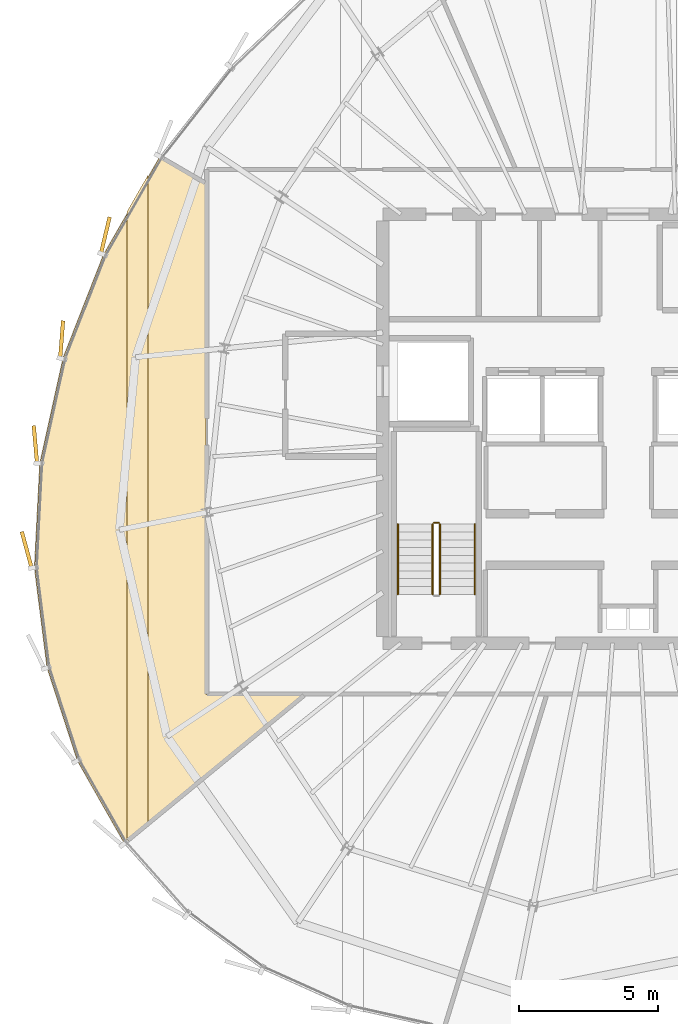
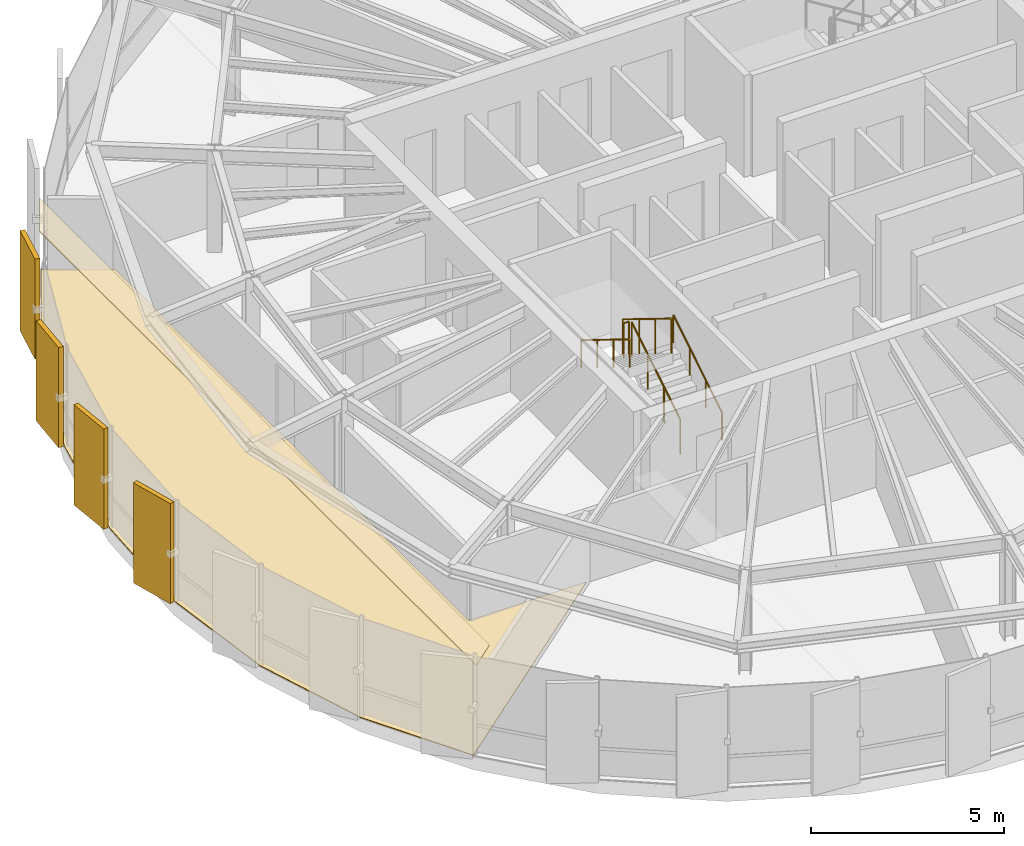
# One storey, part 34 of 36: 6 coverings, 5 railings.
"""IFC4 building model written with IfcOpenShell, lengths in metres."""

import ifcopenshell
import ifcopenshell.guid

model = None  # the IFC model being written
_history = None  # IfcOwnerHistory: only IFC2X3 demands one
_inside = {}  # id of a spatial element -> (the spatial element, [elements in it])
_under = {}  # id of a project, library or spatial element -> (it, [spatial elements below it])
_declared = {}  # id of a project -> (the project, [libraries it declares])
_typed = {}  # id of a type object -> (the type object, [elements of that type])
_made_of = {}  # id of a material, layer set ... -> (it, [elements and type objects made of it])


def new_model(schema):
    """Start an empty IFC model of exactly this schema.

    Asked for "IFC4X3", IfcOpenShell would pick the latest addendum, in which some entities
    have other attributes; the version numbers below select the first issue.
    IFC2X3 requires an IfcOwnerHistory on every rooted entity: one is made here for all.
    """
    global model, _history
    if schema == "IFC4X3":
        model = ifcopenshell.file(schema_version=(4, 3, 0, 0))
    else:
        model = ifcopenshell.file(schema=schema)
    _inside.clear()
    _under.clear()
    _declared.clear()
    _typed.clear()
    _made_of.clear()
    _history = None
    if model.schema == "IFC2X3":
        org = make("IfcOrganization", Name="unknown")
        user = make(
            "IfcPersonAndOrganization",
            ThePerson=make("IfcPerson", FamilyName="unknown"),
            TheOrganization=org,
        )
        app = make(
            "IfcApplication",
            ApplicationDeveloper=org,
            Version="unknown",
            ApplicationFullName="unknown",
            ApplicationIdentifier="unknown",
        )
        _history = make(
            "IfcOwnerHistory",
            OwningUser=user,
            OwningApplication=app,
            ChangeAction="ADDED",
            CreationDate=0,
        )
    return model


def make(cls, **values):
    """One entity of the class cls with the attributes given. An attribute that is None is left unset."""
    return model.create_entity(
        cls, **{name: value for name, value in values.items() if value is not None}
    )


def rooted(cls, **values):
    """An entity with a GlobalId (a new one), such as an element, a storey or a relation."""
    return make(cls, GlobalId=ifcopenshell.guid.new(), OwnerHistory=_history, **values)


def si_unit(unit_type, name, prefix=None):
    """IfcSIUnit, for example si_unit("LENGTHUNIT", "METRE", prefix="MILLI")."""
    return make("IfcSIUnit", UnitType=unit_type, Prefix=prefix, Name=name)


def assignment(units):
    """IfcUnitAssignment: the units of a project."""
    return None if units is None else make("IfcUnitAssignment", Units=units)


def point(xyz):
    """IfcCartesianPoint."""
    return None if xyz is None else make("IfcCartesianPoint", Coordinates=xyz)


def direction(xyz):
    """IfcDirection."""
    return None if xyz is None else make("IfcDirection", DirectionRatios=xyz)


def frame(location, z_axis=None, x_axis=None):
    """IfcAxis2Placement3D, a coordinate frame: its origin and axes. An axis left out is left unset."""
    return make(
        "IfcAxis2Placement3D",
        Location=point(location),
        Axis=direction(z_axis),
        RefDirection=direction(x_axis),
    )


def frame_2d(location, x_axis=None):
    """IfcAxis2Placement2D, a coordinate frame in the plane: its origin and x axis."""
    return make(
        "IfcAxis2Placement2D", Location=point(location), RefDirection=direction(x_axis)
    )


def origin():
    """The frame at (0, 0, 0) with its axes left unset."""
    return frame((0.0, 0.0, 0.0))


def origin_2d():
    """The frame at (0, 0) in the plane with its x axis left unset."""
    return frame_2d((0.0, 0.0))


def place(relative_to, where):
    """IfcLocalPlacement: puts the frame where relative to a parent placement (None: the world)."""
    return make(
        "IfcLocalPlacement", PlacementRelTo=relative_to, RelativePlacement=where
    )


def context(
    kind, dimensions, precision=None, world=None, true_north=None, identifier=None
):
    """IfcGeometricRepresentationContext, for example the 3D "Model" context."""
    return make(
        "IfcGeometricRepresentationContext",
        ContextIdentifier=identifier,
        ContextType=kind,
        CoordinateSpaceDimension=dimensions,
        Precision=precision,
        WorldCoordinateSystem=world,
        TrueNorth=true_north,
    )


def subcontext(parent, identifier, kind, view, scale=None):
    """IfcGeometricRepresentationSubContext, for example "Body" below "Model"."""
    return make(
        "IfcGeometricRepresentationSubContext",
        ContextIdentifier=identifier,
        ContextType=kind,
        ParentContext=parent,
        TargetScale=scale,
        TargetView=view,
    )


def project(units=None, contexts=None):
    """IfcProject with its units and contexts."""
    return rooted(
        "IfcProject",
        Name="project",
        RepresentationContexts=contexts,
        UnitsInContext=assignment(units),
    )


def spatial(cls, under=None, at=None, **own):
    """A site, building, storey or space (cls), placed at a placement, below another one or the project."""
    s = rooted(cls, ObjectPlacement=at, **own)
    if under is not None:
        _under.setdefault(under.id(), (under, []))[1].append(s)
    return s


def polyline(points):
    """IfcPolyline through the points."""
    return make("IfcPolyline", Points=[point(p) for p in points])


def profile(cls, at=None, kind="AREA", **sizes):
    """A parametric profile (cls). Its sizes go by their IFC names, for example OverallWidth=200.0."""
    return make(cls, ProfileType=kind, Position=at, **sizes)


def rectangle(**sizes):
    """IfcRectangleProfileDef."""
    return profile("IfcRectangleProfileDef", **sizes)


def circle(**sizes):
    """IfcCircleProfileDef."""
    return profile("IfcCircleProfileDef", **sizes)


def outline(outer, holes=None, kind="AREA"):
    """IfcArbitraryClosedProfileDef: a profile drawn as a closed curve; with holes, ...WithVoids."""
    if holes is None:
        return make("IfcArbitraryClosedProfileDef", ProfileType=kind, OuterCurve=outer)
    return make(
        "IfcArbitraryProfileDefWithVoids",
        ProfileType=kind,
        OuterCurve=outer,
        InnerCurves=holes,
    )


def extrude(swept, where, along, depth):
    """IfcExtrudedAreaSolid: the profile swept, set in the frame where, extruded along a direction by depth."""
    return make(
        "IfcExtrudedAreaSolid",
        SweptArea=swept,
        Position=where,
        ExtrudedDirection=direction(along),
        Depth=depth,
    )


def shape(context_of_items, identifier, shape_type, items):
    """IfcShapeRepresentation: the items that make up one representation, for example the "Body"."""
    return make(
        "IfcShapeRepresentation",
        ContextOfItems=context_of_items,
        RepresentationIdentifier=identifier,
        RepresentationType=shape_type,
        Items=items,
    )


def source(mapping_origin, context_of_items, identifier, shape_type, items):
    """IfcRepresentationMap: a shape defined once, which mapped items show again and again."""
    return make(
        "IfcRepresentationMap",
        MappingOrigin=mapping_origin,
        MappedRepresentation=shape(context_of_items, identifier, shape_type, items),
    )


def transform(
    local_origin,
    x_axis=None,
    y_axis=None,
    z_axis=None,
    scale=None,
    scale2=None,
    scale3=None,
    uniform=True,
):
    """IfcCartesianTransformationOperator3D, or its non-uniform kind. x_axis, y_axis, z_axis: its Axis1, 2, 3."""
    if uniform:
        return make(
            "IfcCartesianTransformationOperator3D",
            Axis1=direction(x_axis),
            Axis2=direction(y_axis),
            LocalOrigin=point(local_origin),
            Scale=scale,
            Axis3=direction(z_axis),
        )
    return make(
        "IfcCartesianTransformationOperator3DnonUniform",
        Axis1=direction(x_axis),
        Axis2=direction(y_axis),
        LocalOrigin=point(local_origin),
        Scale=scale,
        Axis3=direction(z_axis),
        Scale2=scale2,
        Scale3=scale3,
    )


def mapped(mapping_source, mapping_target):
    """IfcMappedItem: shows the shape of a source again, moved by a transform."""
    return make(
        "IfcMappedItem", MappingSource=mapping_source, MappingTarget=mapping_target
    )


def material(Name=None, Category=None):
    """IfcMaterial."""
    return make("IfcMaterial", Name=Name, Category=Category)


def layer(
    of_material, thickness, ventilated=None, Name=None, Category=None, Priority=None
):
    """IfcMaterialLayer: one layer of a wall or slab, of a material (None: an air gap)."""
    return make(
        "IfcMaterialLayer",
        Material=of_material,
        LayerThickness=thickness,
        IsVentilated=ventilated,
        Name=Name,
        Category=Category,
        Priority=Priority,
    )


def layer_set(layers, Name=None):
    """IfcMaterialLayerSet."""
    return make("IfcMaterialLayerSet", MaterialLayers=layers, LayerSetName=Name)


def made_of(thing, what):
    """Note that an element or type object is made of a material, layer set ...; save() writes the relation."""
    if what is not None:
        _made_of.setdefault(what.id(), (what, []))[1].append(thing)
    return thing


def type_object(cls, material=None, **own):
    """A type object (cls), such as IfcWallType, which elements share."""
    return made_of(rooted(cls, **own), material)


def element(
    cls,
    number,
    at=None,
    inside=None,
    cuts=None,
    type_object=None,
    material=None,
    context=None,
    identifier="Body",
    shape_type=None,
    held_by="IfcProductDefinitionShape",
    body=None,
    shapes=None,
    **own,
):
    """One element of the class cls, such as IfcWall. Its Tag is "e" and its number.

    at: its placement. inside: the storey or other place that contains it. cuts: it is an
    opening in that element (IfcRelVoidsElement). A single representation is given by context,
    identifier, shape_type and body (its items); several are given by shapes. held_by: the class
    of the entity that holds the representations. save() writes the other relations.
    """
    e = rooted(cls, Tag="e%d" % number, ObjectPlacement=at, **own)
    if body is not None:
        shapes = [shape(context, identifier, shape_type, body)]
    if shapes is not None:
        e.Representation = make(held_by, Representations=shapes)
    if inside is not None:
        _inside.setdefault(inside.id(), (inside, []))[1].append(e)
    if cuts is not None:
        rooted(
            "IfcRelVoidsElement", RelatingBuildingElement=cuts, RelatedOpeningElement=e
        )
    if type_object is not None:
        _typed.setdefault(type_object.id(), (type_object, []))[1].append(e)
    return made_of(e, material)


def aggregate(whole, parts):
    """IfcRelAggregates: a whole, such as a stair, and the parts it consists of."""
    return rooted("IfcRelAggregates", RelatingObject=whole, RelatedObjects=parts)


def save(model, path):
    """Write the relations noted so far, then the file.

    IfcRelAggregates (storeys below a building ...), IfcRelContainedInSpatialStructure (elements
    in a storey), IfcRelDefinesByType, IfcRelAssociatesMaterial and IfcRelDeclares: one each for
    every whole, place, type object, material and project.
    """
    for whole, parts in _under.values():
        aggregate(whole, parts)
    for where, things in _inside.values():
        rooted(
            "IfcRelContainedInSpatialStructure",
            RelatedElements=things,
            RelatingStructure=where,
        )
    for kind, things in _typed.values():
        rooted("IfcRelDefinesByType", RelatedObjects=things, RelatingType=kind)
    for what, things in _made_of.values():
        rooted("IfcRelAssociatesMaterial", RelatedObjects=things, RelatingMaterial=what)
    for by, libraries in _declared.values():
        rooted("IfcRelDeclares", RelatingContext=by, RelatedDefinitions=libraries)
    model.write(path)


model = new_model("IFC4")

# Units and contexts
model_context = context("Model", 3, precision=1e-05, world=origin(), true_north=direction((0.0, 1.0)))
body_context = subcontext(model_context, "Body", "Model", "MODEL_VIEW")
ifc_project = project(units=[si_unit("LENGTHUNIT", "METRE"), si_unit("AREAUNIT", "SQUARE_METRE"), si_unit("VOLUMEUNIT", "CUBIC_METRE"), si_unit("PLANEANGLEUNIT", "RADIAN"), si_unit("MASSUNIT", "GRAM", prefix="KILO"), si_unit("THERMODYNAMICTEMPERATUREUNIT", "KELVIN")], contexts=[model_context])

# Site, building, storey
site_placement = place(None, origin())
site = spatial("IfcSite", under=ifc_project, at=site_placement, CompositionType="ELEMENT")
building_placement = place(site_placement, origin())
building = spatial("IfcBuilding", under=site, at=building_placement, Name="Kethvar Cultural Tower", CompositionType="ELEMENT")
storey_placement = place(building_placement, frame((0.0, 0.0, 228.39990234375)))
storey = spatial("IfcBuildingStorey", under=building, at=storey_placement, Name="L59", CompositionType="ELEMENT", Elevation=228.39990234375)

# Coverings
ifc_material_1 = material(Name="Acoustic Mineral Fibre Ceiling")
ifc_layer_1 = layer(ifc_material_1, 0.0400390625, Name="Acoustic Mineral Fibre Ceiling")
ifc_layer_set_1 = layer_set([ifc_layer_1], Name="Acoustic Mineral Fibre Ceiling (40 mm)")
covering_type_1 = type_object("IfcCoveringType", Name="CV-ACOUSTIC-CEIL", PredefinedType="CEILING", material=ifc_layer_set_1)
covering_1_placement = place(storey_placement, frame((0.0, 0.0, 2.780029296875)))
element("IfcCovering", 1, at=covering_1_placement, inside=storey, type_object=covering_type_1, Name="L59 Room 07 Acoustic Ceiling Panel", PredefinedType="CEILING", context=body_context, shape_type="SweptSolid", body=[
    extrude(outline(polyline([(29.56884765625, 36.89990234375), (29.56884765625, 13.58251953125), (28.81884765625, 12.96484375), (28.81884765625, 35.59619140625), (29.56884765625, 36.89990234375)])), origin(), (0.0, 0.0, 1.0), 0.0400390625),
])
ifc_material_2 = material(Name="Architectural Oak Timber", Category="wood")
ifc_layer_2 = layer(ifc_material_2, 0.02490234375, Name="Architectural Oak Timber", Category="wood")
ifc_layer_set_2 = layer_set([ifc_layer_2], Name="Architectural Oak Timber (25 mm)")
covering_type_2 = type_object("IfcCoveringType", Name="CV-OAK-FLOOR", PredefinedType="FLOORING", material=ifc_layer_set_2)
covering_2_placement = place(storey_placement, origin())
element("IfcCovering", 2, at=covering_2_placement, inside=storey, type_object=covering_type_2, Name="L59 Room 07 Floor Finish", PredefinedType="FLOORING", context=body_context, shape_type="SweptSolid", body=[
    extrude(outline(polyline([(28.711181640625, 12.927978515625), (27.034423828125, 15.880126953125), (25.947021484375, 19.21337890625), (25.4931640625, 22.8076171875), (25.6865234375, 26.5537109375), (26.521484375, 30.338134765625), (27.972900390625, 34.04541015625), (29.9873046875, 37.546875), (31.659912109375, 36.57470703125), (31.660888671875, 18.26318359375), (35.172119140625, 18.2490234375), (28.711181640625, 12.927978515625)])), origin(), (0.0, 0.0, 1.0), 0.025146484375),
])

# Railings
ifc_material_3 = material(Name="Steel S355J2", Category="steel")
railing_type_1 = type_object("IfcRailingType", Name="RL-STAIR-GUARD", PredefinedType="BALUSTRADE", material=ifc_material_3)
railing_1_placement = place(storey_placement, frame((40.050048828125, 21.85009765625, 0.172607421875)))
element("IfcRailing", 3, at=railing_1_placement, inside=storey, type_object=railing_type_1, Name="L59 ST-01 stair guard 1", PredefinedType="BALUSTRADE", context=body_context, shape_type="SweptSolid", body=[
    extrude(circle(Radius=0.02392578125, at=origin_2d()), frame((0.0, 0.0, 1.09619140625), z_axis=(0.0, 0.851400495292, 0.524516154772), x_axis=(-1.0, 0.0, 0.0)), (0.0, 0.0, 1.0), 2.9599609375),
    extrude(circle(Radius=0.02099609375, at=origin_2d()), origin(), (0.0, 0.0, 1.0), 1.072021484375),
    extrude(circle(Radius=0.02099609375, at=origin_2d()), frame((0.0, 0.840087890625, 0.517578125)), (0.0, 0.0, 1.0), 1.072021484375),
    extrude(circle(Radius=0.02099609375, at=origin_2d()), frame((0.0, 1.679931640625, 1.034912109375)), (0.0, 0.0, 1.0), 1.072021484375),
    extrude(circle(Radius=0.02099609375, at=origin_2d()), frame((0.0, 2.52001953125, 1.552490234375)), (0.0, 0.0, 1.0), 1.072021484375),
])
railing_2_placement = place(storey_placement, frame((40.0, 24.419921875, 1.72509765625)))
element("IfcRailing", 4, at=railing_2_placement, inside=storey, type_object=railing_type_1, Name="L59 ST-01 stair guard 2", PredefinedType="BALUSTRADE", context=body_context, shape_type="SweptSolid", body=[
    extrude(circle(Radius=0.02392578125, at=origin_2d()), frame((0.0, 0.0, 1.09619140625), z_axis=(-1.0, 0.0, 0.0), x_axis=(0.0, -1.0, 0.0)), (0.0, 0.0, 1.0), 0.159912109375),
    extrude(circle(Radius=0.02099609375, at=origin_2d()), origin(), (0.0, 0.0, 1.0), 1.072021484375),
    extrude(circle(Radius=0.02099609375, at=origin_2d()), frame((-0.159912109375, 0.0, 0.0)), (0.0, 0.0, 1.0), 1.072021484375),
])
railing_3_placement = place(storey_placement, frame((39.7900390625, 24.3701171875, 1.897705078125)))
element("IfcRailing", 5, at=railing_3_placement, inside=storey, type_object=railing_type_1, Name="L59 ST-01 stair guard 3", PredefinedType="BALUSTRADE", context=body_context, shape_type="SweptSolid", body=[
    extrude(circle(Radius=0.02392578125, at=origin_2d()), frame((0.0, 0.0, 1.09619140625), z_axis=(0.0, -0.851400495292, 0.524516154772), x_axis=(1.0, 0.0, 0.0)), (0.0, 0.0, 1.0), 2.9599609375),
    extrude(circle(Radius=0.02099609375, at=origin_2d()), origin(), (0.0, 0.0, 1.0), 1.072021484375),
    extrude(circle(Radius=0.02099609375, at=origin_2d()), frame((0.0, -0.840087890625, 0.517578125)), (0.0, 0.0, 1.0), 1.072021484375),
    extrude(circle(Radius=0.02099609375, at=origin_2d()), frame((0.0, -1.679931640625, 1.034912109375)), (0.0, 0.0, 1.0), 1.072021484375),
    extrude(circle(Radius=0.02099609375, at=origin_2d()), frame((0.0, -2.52001953125, 1.552490234375)), (0.0, 0.0, 1.0), 1.072021484375),
])
railing_type_2 = type_object("IfcRailingType", Name="RL-STAIR-HANDRAIL", PredefinedType="HANDRAIL", material=ifc_material_3)
railing_4_placement = place(storey_placement, frame((41.300048828125, 21.85009765625, 0.172607421875)))
element("IfcRailing", 6, at=railing_4_placement, inside=storey, type_object=railing_type_2, Name="L59 ST-01 stair handrail 1", PredefinedType="HANDRAIL", context=body_context, shape_type="SweptSolid", body=[
    extrude(circle(Radius=0.02392578125, at=origin_2d()), frame((0.0, 0.0, 0.8759765625), z_axis=(0.0, 0.851400495292, 0.524516154772), x_axis=(-1.0, 0.0, 0.0)), (0.0, 0.0, 1.0), 2.9599609375),
    extrude(circle(Radius=0.02099609375, at=origin_2d()), origin(), (0.0, 0.0, 1.0), 0.851806640625),
    extrude(circle(Radius=0.02099609375, at=origin_2d()), frame((0.0, 0.840087890625, 0.517578125)), (0.0, 0.0, 1.0), 0.851806640625),
    extrude(circle(Radius=0.02099609375, at=origin_2d()), frame((0.0, 1.679931640625, 1.034912109375)), (0.0, 0.0, 1.0), 0.851806640625),
    extrude(circle(Radius=0.02099609375, at=origin_2d()), frame((0.0, 2.52001953125, 1.552490234375)), (0.0, 0.0, 1.0), 0.851806640625),
])
railing_5_placement = place(storey_placement, frame((38.5400390625, 24.3701171875, 1.897705078125)))
element("IfcRailing", 7, at=railing_5_placement, inside=storey, type_object=railing_type_2, Name="L59 ST-01 stair handrail 2", PredefinedType="HANDRAIL", context=body_context, shape_type="SweptSolid", body=[
    extrude(circle(Radius=0.02392578125, at=origin_2d()), frame((0.0, 0.0, 0.8759765625), z_axis=(0.0, -0.851400495292, 0.524516154772), x_axis=(1.0, 0.0, 0.0)), (0.0, 0.0, 1.0), 2.9599609375),
    extrude(circle(Radius=0.02099609375, at=origin_2d()), origin(), (0.0, 0.0, 1.0), 0.851806640625),
    extrude(circle(Radius=0.02099609375, at=origin_2d()), frame((0.0, -0.840087890625, 0.517578125)), (0.0, 0.0, 1.0), 0.851806640625),
    extrude(circle(Radius=0.02099609375, at=origin_2d()), frame((0.0, -1.679931640625, 1.034912109375)), (0.0, 0.0, 1.0), 0.851806640625),
    extrude(circle(Radius=0.02099609375, at=origin_2d()), frame((0.0, -2.52001953125, 1.552490234375)), (0.0, 0.0, 1.0), 0.851806640625),
])

# Coverings
ifc_material_4 = material(Name="Extruded Architectural Terracotta", Category="masonry")
ifc_layer_3 = layer(ifc_material_4, 0.135009765625, Name="Extruded Architectural Terracotta", Category="masonry")
ifc_layer_set_3 = layer_set([ifc_layer_3], Name="Extruded Architectural Terracotta (135 mm)")
covering_type_3 = type_object("IfcCoveringType", Name="Terracotta Facade Fin FIN-03", PredefinedType="CLADDING", material=ifc_layer_set_3)
shared_shape = source(origin(), body_context, "Body", "SweptSolid", [
    extrude(rectangle(XDim=1.35009765625, YDim=0.135009765625, at=origin_2d()), origin(), (0.0, 0.0, 1.0), 3.169921875),
])
for number, where, z_axis, x_axis, name in (
    (8, (28.03662109375, 34.739990234375, 0.02001953125), (0.0, 0.0, 1.0), (0.231408326543, 0.972856714222, 0.0), "L59 Vertical Terracotta Fin 2.6"),
    (9, (26.46875, 30.999267578125, 0.02001953125), (0.0, 0.0, 1.0), (0.077415083508, 0.99699894927, 0.0), "L59 Vertical Terracotta Fin 3.1"),
    (10, (25.52734375, 27.23291015625, 0.02001953125), (0.0, 0.0, 1.0), (-0.087851196551, 0.996133609143, 0.0), "L59 Vertical Terracotta Fin 3.2"),
    (11, (25.216552734375, 23.447998046875, 0.02001953125), (0.0, 0.0, 1.0), (-0.262189178641, 0.965016494472, 0.0), "L59 Vertical Terracotta Fin 3.3"),
):
    element("IfcCovering", number, at=place(storey_placement, frame(where, z_axis=z_axis, x_axis=x_axis)), inside=storey, type_object=covering_type_3, Name=name, PredefinedType="CLADDING", context=body_context, shape_type="MappedRepresentation", body=[
        mapped(shared_shape, transform((0.0, 0.0, 0.0), scale=1.0)),
    ])

save(model, "model.ifc")
